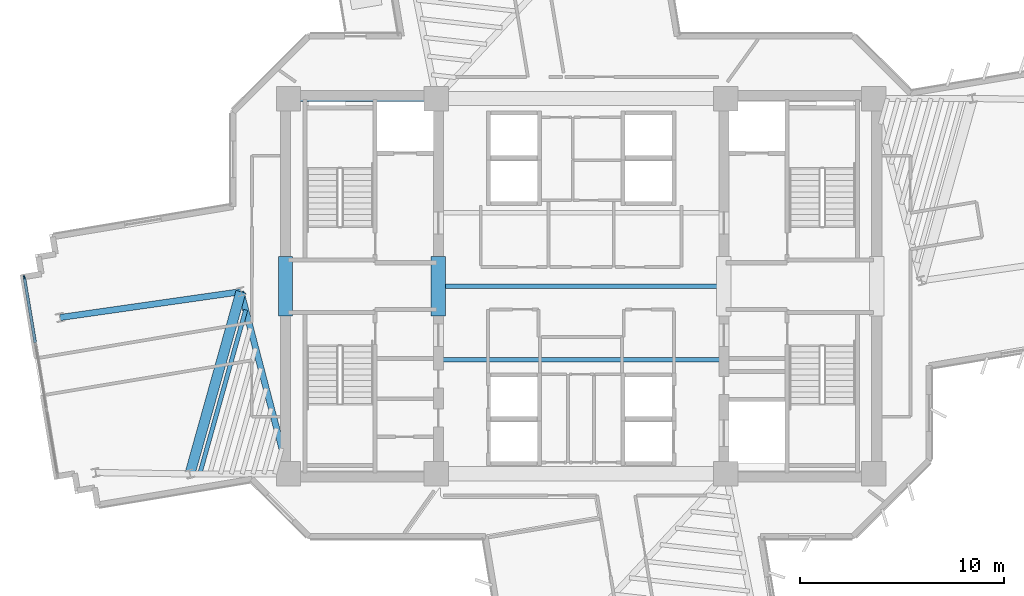
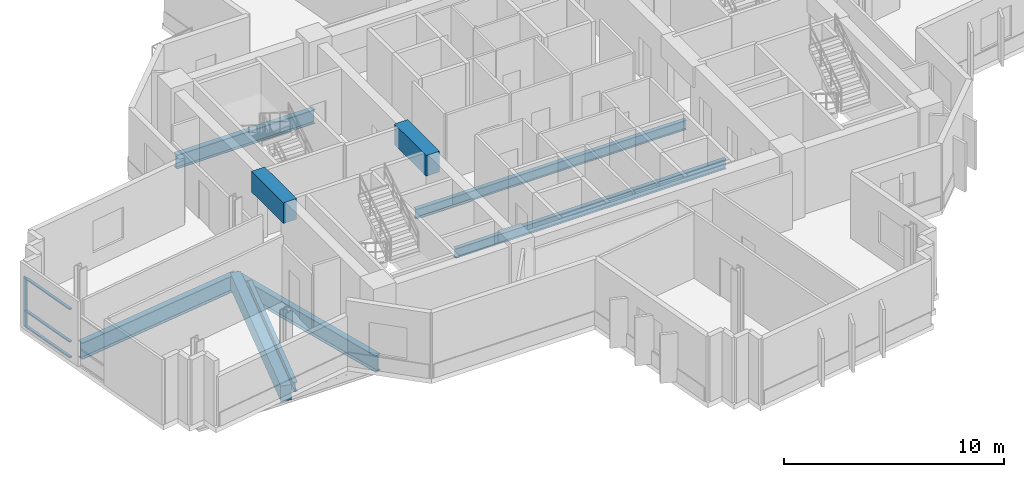
# One storey, part 3 of 15: 9 beams, 4 members, 1 element without a shape of its own.
"""IFC4 building model written with IfcOpenShell, lengths in metres."""

import ifcopenshell
import ifcopenshell.guid

model = None  # the IFC model being written
_history = None  # IfcOwnerHistory: only IFC2X3 demands one
_inside = {}  # id of a spatial element -> (the spatial element, [elements in it])
_under = {}  # id of a project, library or spatial element -> (it, [spatial elements below it])
_declared = {}  # id of a project -> (the project, [libraries it declares])
_typed = {}  # id of a type object -> (the type object, [elements of that type])
_made_of = {}  # id of a material, layer set ... -> (it, [elements and type objects made of it])


def new_model(schema):
    """Start an empty IFC model of exactly this schema.

    Asked for "IFC4X3", IfcOpenShell would pick the latest addendum, in which some entities
    have other attributes; the version numbers below select the first issue.
    IFC2X3 requires an IfcOwnerHistory on every rooted entity: one is made here for all.
    """
    global model, _history
    if schema == "IFC4X3":
        model = ifcopenshell.file(schema_version=(4, 3, 0, 0))
    else:
        model = ifcopenshell.file(schema=schema)
    _inside.clear()
    _under.clear()
    _declared.clear()
    _typed.clear()
    _made_of.clear()
    _history = None
    if model.schema == "IFC2X3":
        org = make("IfcOrganization", Name="unknown")
        user = make(
            "IfcPersonAndOrganization",
            ThePerson=make("IfcPerson", FamilyName="unknown"),
            TheOrganization=org,
        )
        app = make(
            "IfcApplication",
            ApplicationDeveloper=org,
            Version="unknown",
            ApplicationFullName="unknown",
            ApplicationIdentifier="unknown",
        )
        _history = make(
            "IfcOwnerHistory",
            OwningUser=user,
            OwningApplication=app,
            ChangeAction="ADDED",
            CreationDate=0,
        )
    return model


def make(cls, **values):
    """One entity of the class cls with the attributes given. An attribute that is None is left unset."""
    return model.create_entity(
        cls, **{name: value for name, value in values.items() if value is not None}
    )


def rooted(cls, **values):
    """An entity with a GlobalId (a new one), such as an element, a storey or a relation."""
    return make(cls, GlobalId=ifcopenshell.guid.new(), OwnerHistory=_history, **values)


def si_unit(unit_type, name, prefix=None):
    """IfcSIUnit, for example si_unit("LENGTHUNIT", "METRE", prefix="MILLI")."""
    return make("IfcSIUnit", UnitType=unit_type, Prefix=prefix, Name=name)


def assignment(units):
    """IfcUnitAssignment: the units of a project."""
    return None if units is None else make("IfcUnitAssignment", Units=units)


def point(xyz):
    """IfcCartesianPoint."""
    return None if xyz is None else make("IfcCartesianPoint", Coordinates=xyz)


def direction(xyz):
    """IfcDirection."""
    return None if xyz is None else make("IfcDirection", DirectionRatios=xyz)


def frame(location, z_axis=None, x_axis=None):
    """IfcAxis2Placement3D, a coordinate frame: its origin and axes. An axis left out is left unset."""
    return make(
        "IfcAxis2Placement3D",
        Location=point(location),
        Axis=direction(z_axis),
        RefDirection=direction(x_axis),
    )


def frame_2d(location, x_axis=None):
    """IfcAxis2Placement2D, a coordinate frame in the plane: its origin and x axis."""
    return make(
        "IfcAxis2Placement2D", Location=point(location), RefDirection=direction(x_axis)
    )


def origin():
    """The frame at (0, 0, 0) with its axes left unset."""
    return frame((0.0, 0.0, 0.0))


def origin_2d():
    """The frame at (0, 0) in the plane with its x axis left unset."""
    return frame_2d((0.0, 0.0))


def place(relative_to, where):
    """IfcLocalPlacement: puts the frame where relative to a parent placement (None: the world)."""
    return make(
        "IfcLocalPlacement", PlacementRelTo=relative_to, RelativePlacement=where
    )


def context(
    kind, dimensions, precision=None, world=None, true_north=None, identifier=None
):
    """IfcGeometricRepresentationContext, for example the 3D "Model" context."""
    return make(
        "IfcGeometricRepresentationContext",
        ContextIdentifier=identifier,
        ContextType=kind,
        CoordinateSpaceDimension=dimensions,
        Precision=precision,
        WorldCoordinateSystem=world,
        TrueNorth=true_north,
    )


def subcontext(parent, identifier, kind, view, scale=None):
    """IfcGeometricRepresentationSubContext, for example "Body" below "Model"."""
    return make(
        "IfcGeometricRepresentationSubContext",
        ContextIdentifier=identifier,
        ContextType=kind,
        ParentContext=parent,
        TargetScale=scale,
        TargetView=view,
    )


def project(units=None, contexts=None):
    """IfcProject with its units and contexts."""
    return rooted(
        "IfcProject",
        Name="project",
        RepresentationContexts=contexts,
        UnitsInContext=assignment(units),
    )


def spatial(cls, under=None, at=None, **own):
    """A site, building, storey or space (cls), placed at a placement, below another one or the project."""
    s = rooted(cls, ObjectPlacement=at, **own)
    if under is not None:
        _under.setdefault(under.id(), (under, []))[1].append(s)
    return s


def profile(cls, at=None, kind="AREA", **sizes):
    """A parametric profile (cls). Its sizes go by their IFC names, for example OverallWidth=200.0."""
    return make(cls, ProfileType=kind, Position=at, **sizes)


def rectangle(**sizes):
    """IfcRectangleProfileDef."""
    return profile("IfcRectangleProfileDef", **sizes)


def i_section(**sizes):
    """IfcIShapeProfileDef."""
    return profile("IfcIShapeProfileDef", **sizes)


def extrude(swept, where, along, depth):
    """IfcExtrudedAreaSolid: the profile swept, set in the frame where, extruded along a direction by depth."""
    return make(
        "IfcExtrudedAreaSolid",
        SweptArea=swept,
        Position=where,
        ExtrudedDirection=direction(along),
        Depth=depth,
    )


def shape(context_of_items, identifier, shape_type, items):
    """IfcShapeRepresentation: the items that make up one representation, for example the "Body"."""
    return make(
        "IfcShapeRepresentation",
        ContextOfItems=context_of_items,
        RepresentationIdentifier=identifier,
        RepresentationType=shape_type,
        Items=items,
    )


def source(mapping_origin, context_of_items, identifier, shape_type, items):
    """IfcRepresentationMap: a shape defined once, which mapped items show again and again."""
    return make(
        "IfcRepresentationMap",
        MappingOrigin=mapping_origin,
        MappedRepresentation=shape(context_of_items, identifier, shape_type, items),
    )


def transform(
    local_origin,
    x_axis=None,
    y_axis=None,
    z_axis=None,
    scale=None,
    scale2=None,
    scale3=None,
    uniform=True,
):
    """IfcCartesianTransformationOperator3D, or its non-uniform kind. x_axis, y_axis, z_axis: its Axis1, 2, 3."""
    if uniform:
        return make(
            "IfcCartesianTransformationOperator3D",
            Axis1=direction(x_axis),
            Axis2=direction(y_axis),
            LocalOrigin=point(local_origin),
            Scale=scale,
            Axis3=direction(z_axis),
        )
    return make(
        "IfcCartesianTransformationOperator3DnonUniform",
        Axis1=direction(x_axis),
        Axis2=direction(y_axis),
        LocalOrigin=point(local_origin),
        Scale=scale,
        Axis3=direction(z_axis),
        Scale2=scale2,
        Scale3=scale3,
    )


def mapped(mapping_source, mapping_target):
    """IfcMappedItem: shows the shape of a source again, moved by a transform."""
    return make(
        "IfcMappedItem", MappingSource=mapping_source, MappingTarget=mapping_target
    )


def material(Name=None, Category=None):
    """IfcMaterial."""
    return make("IfcMaterial", Name=Name, Category=Category)


def layer(
    of_material, thickness, ventilated=None, Name=None, Category=None, Priority=None
):
    """IfcMaterialLayer: one layer of a wall or slab, of a material (None: an air gap)."""
    return make(
        "IfcMaterialLayer",
        Material=of_material,
        LayerThickness=thickness,
        IsVentilated=ventilated,
        Name=Name,
        Category=Category,
        Priority=Priority,
    )


def layer_set(layers, Name=None):
    """IfcMaterialLayerSet."""
    return make("IfcMaterialLayerSet", MaterialLayers=layers, LayerSetName=Name)


def material_profile(
    of_material, cross_section, Name=None, Category=None, Priority=None
):
    """IfcMaterialProfile: a cross section and its material."""
    return make(
        "IfcMaterialProfile",
        Name=Name,
        Material=of_material,
        Profile=cross_section,
        Priority=Priority,
        Category=Category,
    )


def profile_set(profiles, Name=None, composite=None):
    """IfcMaterialProfileSet."""
    return make(
        "IfcMaterialProfileSet",
        Name=Name,
        MaterialProfiles=profiles,
        CompositeProfile=composite,
    )


def made_of(thing, what):
    """Note that an element or type object is made of a material, layer set ...; save() writes the relation."""
    if what is not None:
        _made_of.setdefault(what.id(), (what, []))[1].append(thing)
    return thing


def type_object(cls, material=None, **own):
    """A type object (cls), such as IfcWallType, which elements share."""
    return made_of(rooted(cls, **own), material)


def element(
    cls,
    number,
    at=None,
    inside=None,
    cuts=None,
    type_object=None,
    material=None,
    context=None,
    identifier="Body",
    shape_type=None,
    held_by="IfcProductDefinitionShape",
    body=None,
    shapes=None,
    **own,
):
    """One element of the class cls, such as IfcWall. Its Tag is "e" and its number.

    at: its placement. inside: the storey or other place that contains it. cuts: it is an
    opening in that element (IfcRelVoidsElement). A single representation is given by context,
    identifier, shape_type and body (its items); several are given by shapes. held_by: the class
    of the entity that holds the representations. save() writes the other relations.
    """
    e = rooted(cls, Tag="e%d" % number, ObjectPlacement=at, **own)
    if body is not None:
        shapes = [shape(context, identifier, shape_type, body)]
    if shapes is not None:
        e.Representation = make(held_by, Representations=shapes)
    if inside is not None:
        _inside.setdefault(inside.id(), (inside, []))[1].append(e)
    if cuts is not None:
        rooted(
            "IfcRelVoidsElement", RelatingBuildingElement=cuts, RelatedOpeningElement=e
        )
    if type_object is not None:
        _typed.setdefault(type_object.id(), (type_object, []))[1].append(e)
    return made_of(e, material)


def aggregate(whole, parts):
    """IfcRelAggregates: a whole, such as a stair, and the parts it consists of."""
    return rooted("IfcRelAggregates", RelatingObject=whole, RelatedObjects=parts)


def save(model, path):
    """Write the relations noted so far, then the file.

    IfcRelAggregates (storeys below a building ...), IfcRelContainedInSpatialStructure (elements
    in a storey), IfcRelDefinesByType, IfcRelAssociatesMaterial and IfcRelDeclares: one each for
    every whole, place, type object, material and project.
    """
    for whole, parts in _under.values():
        aggregate(whole, parts)
    for where, things in _inside.values():
        rooted(
            "IfcRelContainedInSpatialStructure",
            RelatedElements=things,
            RelatingStructure=where,
        )
    for kind, things in _typed.values():
        rooted("IfcRelDefinesByType", RelatedObjects=things, RelatingType=kind)
    for what, things in _made_of.values():
        rooted("IfcRelAssociatesMaterial", RelatedObjects=things, RelatingMaterial=what)
    for by, libraries in _declared.values():
        rooted("IfcRelDeclares", RelatingContext=by, RelatedDefinitions=libraries)
    model.write(path)


model = new_model("IFC4")

# Units and contexts
model_context = context("Model", 3, precision=1e-05, world=origin(), true_north=direction((0.0, 1.0)))
body_context = subcontext(model_context, "Body", "Model", "MODEL_VIEW")
ifc_project = project(units=[si_unit("LENGTHUNIT", "METRE"), si_unit("AREAUNIT", "SQUARE_METRE"), si_unit("VOLUMEUNIT", "CUBIC_METRE"), si_unit("PLANEANGLEUNIT", "RADIAN"), si_unit("MASSUNIT", "GRAM", prefix="KILO")], contexts=[model_context])

# Site, building, storey
site_placement = place(None, origin())
site = spatial("IfcSite", under=ifc_project, at=site_placement, CompositionType="ELEMENT")
building_placement = place(site_placement, origin())
building = spatial("IfcBuilding", under=site, at=building_placement, Name="Zahravan Cultural Tower", CompositionType="ELEMENT")
storey_placement = place(building_placement, frame((0.0, 0.0, 143.39990234375)))
storey = spatial("IfcBuildingStorey", under=building, at=storey_placement, Name="L32", CompositionType="ELEMENT", Elevation=143.39990234375)

# Beams
ifc_material_1 = material(Name="Concrete C50/60", Category="concrete")
ifc_material_profile_1 = material_profile(ifc_material_1, rectangle(XDim=0.699951171875, YDim=1.14990234375, at=origin_2d()), Name="RC700X1150")
ifc_profile_set_1 = profile_set([ifc_material_profile_1], Name="Concrete C50/60")
beam_type_1 = type_object("IfcBeamType", Name="BM-LN-RC700X1150", PredefinedType="LINTEL", material=ifc_profile_set_1)
shared_shape_1 = source(origin(), body_context, "Body", "SweptSolid", [
    extrude(rectangle(XDim=0.699951171875, YDim=1.14990234375, at=origin_2d()), origin(), (0.0, 0.0, 1.0), 2.89990234375),
])
for number, where, z_axis, x_axis, name in (
    (1, (21.5, 25.550048828125, 3.045166015625), (0.0, 1.0, 0.0), (-1.0, 0.0, 0.0), "L32 Beam LN-L32-PWW"),
    (2, (29.0, 25.550048828125, 3.045166015625), (0.0, 1.0, 0.0), (-1.0, 0.0, 0.0), "L32 Beam LN-L32-PWE"),
):
    element("IfcBeam", number, at=place(storey_placement, frame(where, z_axis=z_axis, x_axis=x_axis)), inside=storey, type_object=beam_type_1, Name=name, PredefinedType="LINTEL", context=body_context, shape_type="MappedRepresentation", body=[
        mapped(shared_shape_1, transform((0.0, 0.0, 0.0), x_axis=(1.0, 0.0, 0.0), y_axis=(0.0, 1.0, 0.0), z_axis=(0.0, 0.0, 1.0), scale=1.0)),
    ])
ifc_material_2 = material(Name="Steel ASTM A992 Grade 50", Category="steel")
ifc_material_profile_2 = material_profile(ifc_material_2, i_section(OverallWidth=0.26611328125, OverallDepth=0.780029296875, WebThickness=0.0166015625, FlangeThickness=0.030029296875, FilletRadius=0.01904296875, at=origin_2d()), Name="W30X148")
ifc_profile_set_2 = profile_set([ifc_material_profile_2], Name="Steel ASTM A992 Grade 50")
beam_type_2 = type_object("IfcBeamType", Name="BM-G-W30X148", PredefinedType="BEAM", material=ifc_profile_set_2)
shared_shape_2 = source(origin(), body_context, "Body", "SweptSolid", [
    extrude(i_section(OverallWidth=0.26611328125, OverallDepth=0.780029296875, WebThickness=0.0166015625, FlangeThickness=0.030029296875, FilletRadius=0.01904296875, at=origin_2d()), origin(), (0.0, 0.0, 1.0), 7.25),
])
beam_1_placement = place(storey_placement, frame((21.64990234375, 36.199951171875, -0.669921875), z_axis=(1.0, 0.0, 0.0), x_axis=(0.0, 1.0, 0.0)))
element("IfcBeam", 3, at=beam_1_placement, inside=storey, type_object=beam_type_2, Name="L32 Beam BG-L32-02", PredefinedType="BEAM", context=body_context, shape_type="MappedRepresentation", body=[
    mapped(shared_shape_2, transform((0.0, 0.0, 0.0), x_axis=(1.0, 0.0, 0.0), y_axis=(0.0, 1.0, 0.0), z_axis=(0.0, 0.0, 1.0), scale=1.0)),
])
ifc_material_profile_3 = material_profile(ifc_material_2, i_section(OverallWidth=0.304931640625, OverallDepth=0.9189453125, WebThickness=0.017333984375, FlangeThickness=0.02783203125, FilletRadius=0.02392578125, at=origin_2d()), Name="W36X170")
ifc_profile_set_3 = profile_set([ifc_material_profile_3], Name="Steel ASTM A992 Grade 50")
beam_type_3 = type_object("IfcBeamType", Name="BM-G-W36X170", PredefinedType="BEAM", material=ifc_profile_set_3)
shared_shape_3 = source(origin(), body_context, "Body", "SweptSolid", [
    extrude(i_section(OverallWidth=0.304931640625, OverallDepth=0.9189453125, WebThickness=0.017333984375, FlangeThickness=0.02783203125, FilletRadius=0.02392578125, at=origin_2d()), origin(), (0.0, 0.0, 1.0), 9.22900390625),
])
beam_2_placement = place(storey_placement, frame((21.64990234375, 17.800048828125, -0.739501953125), z_axis=(-0.252922608408, 0.967486513682, 0.0), x_axis=(-0.967486513682, -0.252922608408, 0.0)))
element("IfcBeam", 4, at=beam_2_placement, inside=storey, type_object=beam_type_3, Name="L32 Beam BG-L32-07", PredefinedType="BEAM", context=body_context, shape_type="MappedRepresentation", body=[
    mapped(shared_shape_3, transform((0.0, 0.0, 0.0), x_axis=(1.0, 0.0, 0.0), y_axis=(0.0, 1.0, 0.0), z_axis=(0.0, 0.0, 1.0), scale=1.0)),
])
shared_shape_4 = source(origin(), body_context, "Body", "SweptSolid", [
    extrude(i_section(OverallWidth=0.304931640625, OverallDepth=0.9189453125, WebThickness=0.017333984375, FlangeThickness=0.02783203125, FilletRadius=0.02392578125, at=origin_2d()), origin(), (0.0, 0.0, 1.0), 8.9580078125),
])
beam_3_placement = place(storey_placement, frame((19.315673828125, 26.72900390625, -0.739501953125), z_axis=(-0.990000122431, -0.141066500584, 0.0), x_axis=(0.141066500584, -0.990000122431, 0.0)))
element("IfcBeam", 5, at=beam_3_placement, inside=storey, type_object=beam_type_3, Name="L32 Beam BG-L32-17", PredefinedType="BEAM", context=body_context, shape_type="MappedRepresentation", body=[
    mapped(shared_shape_4, transform((0.0, 0.0, 0.0), x_axis=(1.0, 0.0, 0.0), y_axis=(0.0, 1.0, 0.0), z_axis=(0.0, 0.0, 1.0), scale=1.0)),
])
ifc_material_profile_4 = material_profile(ifc_material_1, rectangle(XDim=0.5, YDim=0.85009765625, at=origin_2d()), Name="RC500X850")
ifc_profile_set_4 = profile_set([ifc_material_profile_4], Name="Concrete C50/60")
beam_type_4 = type_object("IfcBeamType", Name="BM-SP-RC500X850", PredefinedType="SPANDREL", material=ifc_profile_set_4)
shared_shape_5 = source(origin(), body_context, "Body", "SweptSolid", [
    extrude(rectangle(XDim=0.5, YDim=0.85009765625, at=origin_2d()), origin(), (0.0, 0.0, 1.0), 9.2783203125),
])
beam_4_placement = place(storey_placement, frame((19.315673828125, 26.72900390625, -0.704833984375), z_axis=(-0.269497187032, -0.963001176625, 0.0), x_axis=(0.963001176625, -0.269497187032, 0.0)))
element("IfcBeam", 6, at=beam_4_placement, inside=storey, type_object=beam_type_4, Name="L32 Beam SP-L32-19", PredefinedType="SPANDREL", context=body_context, shape_type="MappedRepresentation", body=[
    mapped(shared_shape_5, transform((0.0, 0.0, 0.0), x_axis=(1.0, 0.0, 0.0), y_axis=(0.0, 1.0, 0.0), z_axis=(0.0, 0.0, 1.0), scale=1.0)),
])
ifc_material_profile_5 = material_profile(ifc_material_2, i_section(OverallWidth=0.2099609375, OverallDepth=0.532958984375, WebThickness=0.01025390625, FlangeThickness=0.015625, FilletRadius=0.013916015625, at=origin_2d()), Name="W21X62")
ifc_profile_set_5 = profile_set([ifc_material_profile_5], Name="Steel ASTM A992 Grade 50")
beam_type_5 = type_object("IfcBeamType", Name="BM-J-W21X62", PredefinedType="JOIST", material=ifc_profile_set_5)
shared_shape_6 = source(origin(), body_context, "Body", "SweptSolid", [
    extrude(i_section(OverallWidth=0.2099609375, OverallDepth=0.532958984375, WebThickness=0.01025390625, FlangeThickness=0.015625, FilletRadius=0.013916015625, at=origin_2d()), origin(), (0.0, 0.0, 1.0), 14.2001953125),
])
for number, where, z_axis, x_axis, name in (
    (7, (28.89990234375, 23.39990234375, -0.54638671875), (1.0, 0.0, 0.0), (0.0, 1.0, 0.0), "L32 Beam BJ-L32-23"),
    (8, (28.89990234375, 27.0, -0.54638671875), (1.0, 0.0, 0.0), (0.0, 1.0, 0.0), "L32 Beam BJ-L32-24"),
):
    element("IfcBeam", number, at=place(storey_placement, frame(where, z_axis=z_axis, x_axis=x_axis)), inside=storey, type_object=beam_type_5, Name=name, PredefinedType="JOIST", context=body_context, shape_type="MappedRepresentation", body=[
        mapped(shared_shape_6, transform((0.0, 0.0, 0.0), x_axis=(1.0, 0.0, 0.0), y_axis=(0.0, 1.0, 0.0), z_axis=(0.0, 0.0, 1.0), scale=1.0)),
    ])
shared_shape_7 = source(origin(), body_context, "Body", "SweptSolid", [
    extrude(i_section(OverallWidth=0.2099609375, OverallDepth=0.532958984375, WebThickness=0.01025390625, FlangeThickness=0.015625, FilletRadius=0.013916015625, at=origin_2d()), origin(), (0.0, 0.0, 1.0), 8.350830078125),
])
beam_5_placement = place(storey_placement, frame((19.549072265625, 25.836181640625, -0.54638671875), z_axis=(-0.269496539555, -0.963001357822, 0.0), x_axis=(0.963001357822, -0.269496539555, 0.0)))
element("IfcBeam", 9, at=beam_5_placement, inside=storey, type_object=beam_type_5, Name="L32 Beam BJ-L32-33", PredefinedType="JOIST", context=body_context, shape_type="MappedRepresentation", body=[
    mapped(shared_shape_7, transform((0.0, 0.0, 0.0), x_axis=(1.0, 0.0, 0.0), y_axis=(0.0, 1.0, 0.0), z_axis=(0.0, 0.0, 1.0), scale=1.0)),
])

# Curtain wall, members
ifc_material_3 = material(Name="Anodised bronze-aluminium mullion", Category="aluminium")
ifc_layer = layer(ifc_material_3, 0.179931640625)
ifc_layer_set = layer_set([ifc_layer], Name="Anodised bronze-aluminium mullion")
curtain_wall_type = type_object("IfcCurtainWallType", Name="CW-SYS-3", PredefinedType="USERDEFINED", material=ifc_layer_set)
curtain_wall_placement = place(storey_placement, origin())
curtain_wall = element("IfcCurtainWall", 10, at=curtain_wall_placement, inside=storey, type_object=curtain_wall_type, Name="L32 Recessed Curtain Wall CW-3.2", ObjectType="RECESSED GLAZING", PredefinedType="USERDEFINED")
ifc_material_profile_6 = material_profile(ifc_material_3, rectangle(XDim=0.070068359375, YDim=0.179931640625, at=origin_2d()), Name="AL-M70X180")
ifc_profile_set_6 = profile_set([ifc_material_profile_6], Name="Anodised bronze-aluminium mullion")
member_type_1 = type_object("IfcMemberType", Name="CWM-CW-3", PredefinedType="MULLION", material=ifc_profile_set_6)
shared_shape_8 = source(origin(), body_context, "Body", "SweptSolid", [
    extrude(rectangle(XDim=0.070068359375, YDim=0.179931640625, at=origin_2d()), origin(), (0.0, 0.0, 1.0), 2.739990234375),
])
member_1_placement = place(storey_placement, frame((8.695556640625, 27.42431640625, 0.0), z_axis=(0.0, 0.0, 1.0), x_axis=(-0.986285000163, -0.165051199491, 0.0)))
member_1 = element("IfcMember", 11, at=member_1_placement, type_object=member_type_1, Name="CW-3 mullion 4", PredefinedType="MULLION", context=body_context, shape_type="MappedRepresentation", body=[
    mapped(shared_shape_8, transform((0.0, 0.0, 0.0), x_axis=(1.0, 0.0, 0.0), y_axis=(0.0, 1.0, 0.0), z_axis=(0.0, 0.0, 1.0), scale=1.0)),
])
ifc_material_profile_7 = material_profile(ifc_material_3, rectangle(XDim=0.139892578125, YDim=0.070068359375, at=origin_2d()), Name="AL-T70X140")
ifc_profile_set_7 = profile_set([ifc_material_profile_7], Name="Anodised bronze-aluminium mullion")
member_type_2 = type_object("IfcMemberType", Name="CWT-CW-3", PredefinedType="USERDEFINED", material=ifc_profile_set_7)
shared_shape_9 = source(origin(), body_context, "Body", "SweptSolid", [
    extrude(rectangle(XDim=0.139892578125, YDim=0.070068359375, at=origin_2d()), origin(), (0.0, 0.0, 1.0), 3.20166015625),
])
member_2_placement = place(storey_placement, frame((9.229736328125, 24.23193359375, 0.03515625), z_axis=(-0.165091421892, 0.986278268248, 0.0), x_axis=(-0.986278268248, -0.165091421892, 0.0)))
member_2 = element("IfcMember", 12, at=member_2_placement, type_object=member_type_2, Name="CW-3 transom 3.1", ObjectType="TRANSOM", PredefinedType="USERDEFINED", context=body_context, shape_type="MappedRepresentation", body=[
    mapped(shared_shape_9, transform((0.0, 0.0, 0.0), x_axis=(1.0, 0.0, 0.0), y_axis=(0.0, 1.0, 0.0), z_axis=(0.0, 0.0, 1.0), scale=1.0)),
])
member_3_placement = place(storey_placement, frame((9.229736328125, 24.23193359375, 0.900146484375), z_axis=(-0.165091421892, 0.986278268248, 0.0), x_axis=(-0.986278268248, -0.165091421892, 0.0)))
member_3 = element("IfcMember", 13, at=member_3_placement, type_object=member_type_2, Name="CW-3 transom 3.2", ObjectType="TRANSOM", PredefinedType="USERDEFINED", context=body_context, shape_type="MappedRepresentation", body=[
    mapped(shared_shape_9, transform((0.0, 0.0, 0.0), x_axis=(1.0, 0.0, 0.0), y_axis=(0.0, 1.0, 0.0), z_axis=(0.0, 0.0, 1.0), scale=1.0)),
])
member_4_placement = place(storey_placement, frame((9.229736328125, 24.23193359375, 2.705078125), z_axis=(-0.165091421892, 0.986278268248, 0.0), x_axis=(-0.986278268248, -0.165091421892, 0.0)))
member_4 = element("IfcMember", 14, at=member_4_placement, type_object=member_type_2, Name="CW-3 transom 3.3", ObjectType="TRANSOM", PredefinedType="USERDEFINED", context=body_context, shape_type="MappedRepresentation", body=[
    mapped(shared_shape_9, transform((0.0, 0.0, 0.0), x_axis=(1.0, 0.0, 0.0), y_axis=(0.0, 1.0, 0.0), z_axis=(0.0, 0.0, 1.0), scale=1.0)),
])
aggregate(curtain_wall, [member_1, member_2, member_3, member_4])

save(model, "model.ifc")
